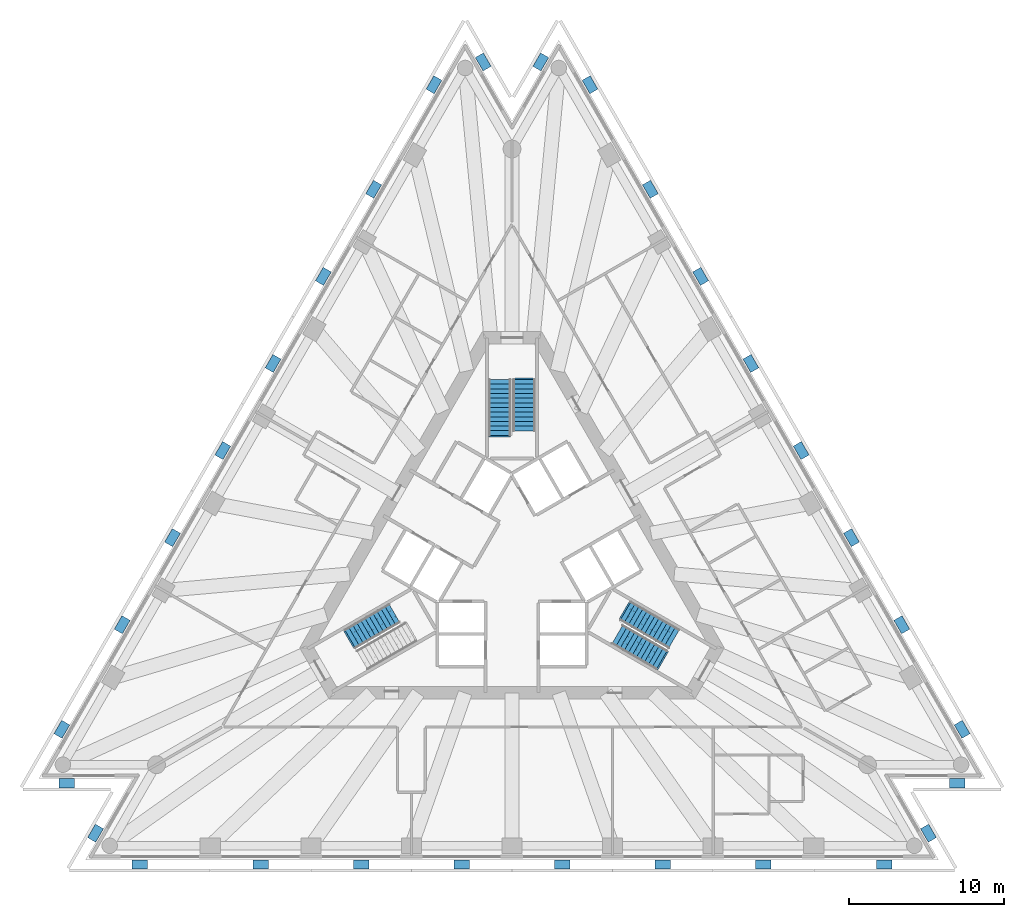
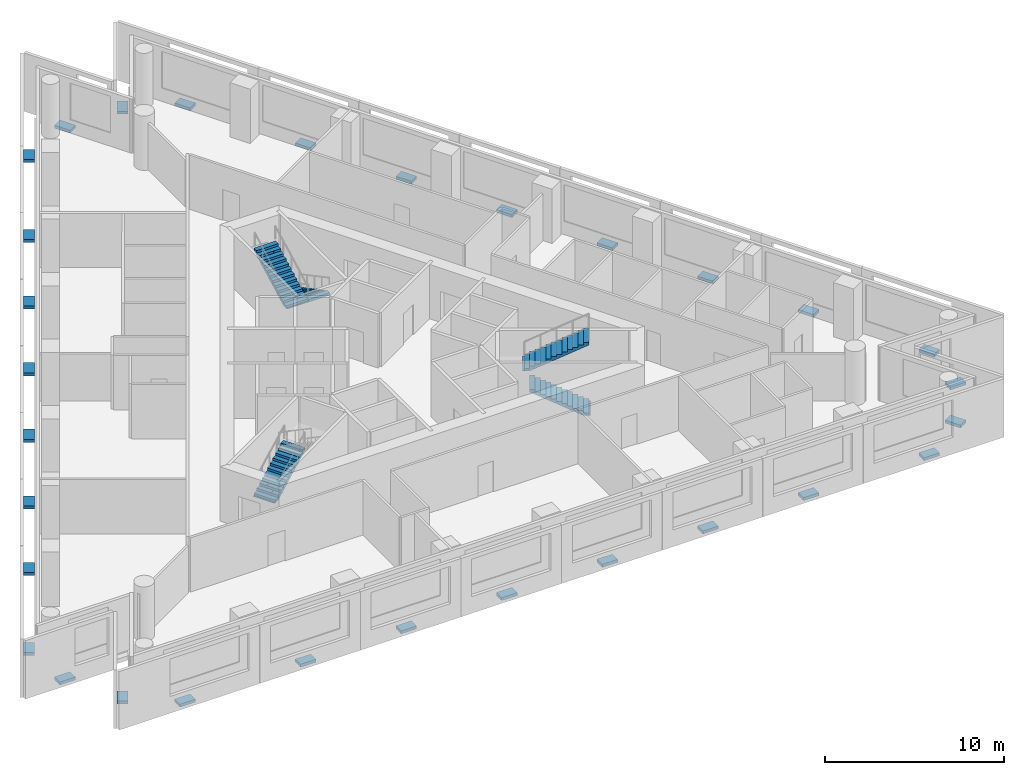
# One storey, part 7 of 9: 30 discrete accessories, 5 stair flights, 3 elements without a shape of their own.
"""IFC4 building model written with IfcOpenShell, lengths in metres."""

import ifcopenshell
import ifcopenshell.guid

model = None  # the IFC model being written
_history = None  # IfcOwnerHistory: only IFC2X3 demands one
_inside = {}  # id of a spatial element -> (the spatial element, [elements in it])
_under = {}  # id of a project, library or spatial element -> (it, [spatial elements below it])
_declared = {}  # id of a project -> (the project, [libraries it declares])
_typed = {}  # id of a type object -> (the type object, [elements of that type])
_made_of = {}  # id of a material, layer set ... -> (it, [elements and type objects made of it])


def new_model(schema):
    """Start an empty IFC model of exactly this schema.

    Asked for "IFC4X3", IfcOpenShell would pick the latest addendum, in which some entities
    have other attributes; the version numbers below select the first issue.
    IFC2X3 requires an IfcOwnerHistory on every rooted entity: one is made here for all.
    """
    global model, _history
    if schema == "IFC4X3":
        model = ifcopenshell.file(schema_version=(4, 3, 0, 0))
    else:
        model = ifcopenshell.file(schema=schema)
    _inside.clear()
    _under.clear()
    _declared.clear()
    _typed.clear()
    _made_of.clear()
    _history = None
    if model.schema == "IFC2X3":
        org = make("IfcOrganization", Name="unknown")
        user = make(
            "IfcPersonAndOrganization",
            ThePerson=make("IfcPerson", FamilyName="unknown"),
            TheOrganization=org,
        )
        app = make(
            "IfcApplication",
            ApplicationDeveloper=org,
            Version="unknown",
            ApplicationFullName="unknown",
            ApplicationIdentifier="unknown",
        )
        _history = make(
            "IfcOwnerHistory",
            OwningUser=user,
            OwningApplication=app,
            ChangeAction="ADDED",
            CreationDate=0,
        )
    return model


def make(cls, **values):
    """One entity of the class cls with the attributes given. An attribute that is None is left unset."""
    return model.create_entity(
        cls, **{name: value for name, value in values.items() if value is not None}
    )


def rooted(cls, **values):
    """An entity with a GlobalId (a new one), such as an element, a storey or a relation."""
    return make(cls, GlobalId=ifcopenshell.guid.new(), OwnerHistory=_history, **values)


def si_unit(unit_type, name, prefix=None):
    """IfcSIUnit, for example si_unit("LENGTHUNIT", "METRE", prefix="MILLI")."""
    return make("IfcSIUnit", UnitType=unit_type, Prefix=prefix, Name=name)


def assignment(units):
    """IfcUnitAssignment: the units of a project."""
    return None if units is None else make("IfcUnitAssignment", Units=units)


def point(xyz):
    """IfcCartesianPoint."""
    return None if xyz is None else make("IfcCartesianPoint", Coordinates=xyz)


def direction(xyz):
    """IfcDirection."""
    return None if xyz is None else make("IfcDirection", DirectionRatios=xyz)


def frame(location, z_axis=None, x_axis=None):
    """IfcAxis2Placement3D, a coordinate frame: its origin and axes. An axis left out is left unset."""
    return make(
        "IfcAxis2Placement3D",
        Location=point(location),
        Axis=direction(z_axis),
        RefDirection=direction(x_axis),
    )


def frame_2d(location, x_axis=None):
    """IfcAxis2Placement2D, a coordinate frame in the plane: its origin and x axis."""
    return make(
        "IfcAxis2Placement2D", Location=point(location), RefDirection=direction(x_axis)
    )


def origin():
    """The frame at (0, 0, 0) with its axes left unset."""
    return frame((0.0, 0.0, 0.0))


def origin_2d():
    """The frame at (0, 0) in the plane with its x axis left unset."""
    return frame_2d((0.0, 0.0))


def place(relative_to, where):
    """IfcLocalPlacement: puts the frame where relative to a parent placement (None: the world)."""
    return make(
        "IfcLocalPlacement", PlacementRelTo=relative_to, RelativePlacement=where
    )


def context(
    kind, dimensions, precision=None, world=None, true_north=None, identifier=None
):
    """IfcGeometricRepresentationContext, for example the 3D "Model" context."""
    return make(
        "IfcGeometricRepresentationContext",
        ContextIdentifier=identifier,
        ContextType=kind,
        CoordinateSpaceDimension=dimensions,
        Precision=precision,
        WorldCoordinateSystem=world,
        TrueNorth=true_north,
    )


def subcontext(parent, identifier, kind, view, scale=None):
    """IfcGeometricRepresentationSubContext, for example "Body" below "Model"."""
    return make(
        "IfcGeometricRepresentationSubContext",
        ContextIdentifier=identifier,
        ContextType=kind,
        ParentContext=parent,
        TargetScale=scale,
        TargetView=view,
    )


def project(units=None, contexts=None):
    """IfcProject with its units and contexts."""
    return rooted(
        "IfcProject",
        Name="project",
        RepresentationContexts=contexts,
        UnitsInContext=assignment(units),
    )


def spatial(cls, under=None, at=None, **own):
    """A site, building, storey or space (cls), placed at a placement, below another one or the project."""
    s = rooted(cls, ObjectPlacement=at, **own)
    if under is not None:
        _under.setdefault(under.id(), (under, []))[1].append(s)
    return s


def polyline(points):
    """IfcPolyline through the points."""
    return make("IfcPolyline", Points=[point(p) for p in points])


def profile(cls, at=None, kind="AREA", **sizes):
    """A parametric profile (cls). Its sizes go by their IFC names, for example OverallWidth=200.0."""
    return make(cls, ProfileType=kind, Position=at, **sizes)


def rectangle(**sizes):
    """IfcRectangleProfileDef."""
    return profile("IfcRectangleProfileDef", **sizes)


def outline(outer, holes=None, kind="AREA"):
    """IfcArbitraryClosedProfileDef: a profile drawn as a closed curve; with holes, ...WithVoids."""
    if holes is None:
        return make("IfcArbitraryClosedProfileDef", ProfileType=kind, OuterCurve=outer)
    return make(
        "IfcArbitraryProfileDefWithVoids",
        ProfileType=kind,
        OuterCurve=outer,
        InnerCurves=holes,
    )


def extrude(swept, where, along, depth):
    """IfcExtrudedAreaSolid: the profile swept, set in the frame where, extruded along a direction by depth."""
    return make(
        "IfcExtrudedAreaSolid",
        SweptArea=swept,
        Position=where,
        ExtrudedDirection=direction(along),
        Depth=depth,
    )


def shape(context_of_items, identifier, shape_type, items):
    """IfcShapeRepresentation: the items that make up one representation, for example the "Body"."""
    return make(
        "IfcShapeRepresentation",
        ContextOfItems=context_of_items,
        RepresentationIdentifier=identifier,
        RepresentationType=shape_type,
        Items=items,
    )


def material(Name=None, Category=None):
    """IfcMaterial."""
    return make("IfcMaterial", Name=Name, Category=Category)


def made_of(thing, what):
    """Note that an element or type object is made of a material, layer set ...; save() writes the relation."""
    if what is not None:
        _made_of.setdefault(what.id(), (what, []))[1].append(thing)
    return thing


def type_object(cls, material=None, **own):
    """A type object (cls), such as IfcWallType, which elements share."""
    return made_of(rooted(cls, **own), material)


def element(
    cls,
    number,
    at=None,
    inside=None,
    cuts=None,
    type_object=None,
    material=None,
    context=None,
    identifier="Body",
    shape_type=None,
    held_by="IfcProductDefinitionShape",
    body=None,
    shapes=None,
    **own,
):
    """One element of the class cls, such as IfcWall. Its Tag is "e" and its number.

    at: its placement. inside: the storey or other place that contains it. cuts: it is an
    opening in that element (IfcRelVoidsElement). A single representation is given by context,
    identifier, shape_type and body (its items); several are given by shapes. held_by: the class
    of the entity that holds the representations. save() writes the other relations.
    """
    e = rooted(cls, Tag="e%d" % number, ObjectPlacement=at, **own)
    if body is not None:
        shapes = [shape(context, identifier, shape_type, body)]
    if shapes is not None:
        e.Representation = make(held_by, Representations=shapes)
    if inside is not None:
        _inside.setdefault(inside.id(), (inside, []))[1].append(e)
    if cuts is not None:
        rooted(
            "IfcRelVoidsElement", RelatingBuildingElement=cuts, RelatedOpeningElement=e
        )
    if type_object is not None:
        _typed.setdefault(type_object.id(), (type_object, []))[1].append(e)
    return made_of(e, material)


def aggregate(whole, parts):
    """IfcRelAggregates: a whole, such as a stair, and the parts it consists of."""
    return rooted("IfcRelAggregates", RelatingObject=whole, RelatedObjects=parts)


def save(model, path):
    """Write the relations noted so far, then the file.

    IfcRelAggregates (storeys below a building ...), IfcRelContainedInSpatialStructure (elements
    in a storey), IfcRelDefinesByType, IfcRelAssociatesMaterial and IfcRelDeclares: one each for
    every whole, place, type object, material and project.
    """
    for whole, parts in _under.values():
        aggregate(whole, parts)
    for where, things in _inside.values():
        rooted(
            "IfcRelContainedInSpatialStructure",
            RelatedElements=things,
            RelatingStructure=where,
        )
    for kind, things in _typed.values():
        rooted("IfcRelDefinesByType", RelatedObjects=things, RelatingType=kind)
    for what, things in _made_of.values():
        rooted("IfcRelAssociatesMaterial", RelatedObjects=things, RelatingMaterial=what)
    for by, libraries in _declared.values():
        rooted("IfcRelDeclares", RelatingContext=by, RelatedDefinitions=libraries)
    model.write(path)


model = new_model("IFC4")

# Units and contexts
model_context = context("Model", 3, precision=1e-05, world=origin(), true_north=direction((0.0, 1.0)))
body_context = subcontext(model_context, "Body", "Model", "MODEL_VIEW")
ifc_project = project(units=[si_unit("LENGTHUNIT", "METRE"), si_unit("AREAUNIT", "SQUARE_METRE"), si_unit("VOLUMEUNIT", "CUBIC_METRE"), si_unit("PLANEANGLEUNIT", "RADIAN"), si_unit("MASSUNIT", "GRAM", prefix="KILO")], contexts=[model_context])

# Site, building, storey
site_placement = place(None, origin())
site = spatial("IfcSite", under=ifc_project, at=site_placement, CompositionType="ELEMENT")
building_placement = place(site_placement, origin())
building = spatial("IfcBuilding", under=site, at=building_placement, Name="Triada Interchange Tower", CompositionType="ELEMENT")
storey_placement = place(building_placement, frame((0.0, 0.0, 172.300048828125)))
storey = spatial("IfcBuildingStorey", under=building, at=storey_placement, Name="L40", CompositionType="ELEMENT", Elevation=172.300048828125)

# Stair, stair flights
ifc_material_1 = material(Name="Concrete C35/45", Category="concrete")
stair_type = type_object("IfcStairType", Name="HALF TURN STAIR 1400", PredefinedType="HALF_TURN_STAIR", material=ifc_material_1)
stair_1_placement = place(storey_placement, origin())
stair_1 = element("IfcStair", 1, at=stair_1_placement, inside=storey, type_object=stair_type, Name="Exit stair S38-1", PredefinedType="HALF_TURN_STAIR")
stair_flight_type = type_object("IfcStairFlightType", Name="STRAIGHT STAIR FLIGHT 1400", PredefinedType="STRAIGHT", material=ifc_material_1)
stair_flight_1_placement = place(storey_placement, frame((0.800048828125, 11.60009765625, 0.0), z_axis=(0.0, 0.0, 1.0), x_axis=(0.0, -1.0, 0.0)))
stair_flight_1 = element("IfcStairFlight", 2, at=stair_flight_1_placement, type_object=stair_flight_type, Name="S38-1 flight 1", NumberOfRisers=12, NumberOfTreads=11, PredefinedType="STRAIGHT", RiserHeight=0.16, TreadLength=0.3, context=body_context, shape_type="SweptSolid", body=[
    extrude(outline(polyline([(-0.10009765625, 0.0), (-0.10009765625, 0.02001953125), (0.0, 0.02001953125), (0.0, 0.159912109375), (0.300048828125, 0.159912109375), (0.300048828125, 0.320068359375), (0.60009765625, 0.320068359375), (0.60009765625, 0.47998046875), (0.89990234375, 0.47998046875), (0.89990234375, 0.639892578125), (1.199951171875, 0.639892578125), (1.199951171875, 0.800048828125), (1.5, 0.800048828125), (1.5, 0.9599609375), (1.800048828125, 0.9599609375), (1.800048828125, 1.1201171875), (2.10009765625, 1.1201171875), (2.10009765625, 1.280029296875), (2.39990234375, 1.280029296875), (2.39990234375, 1.43994140625), (2.699951171875, 1.43994140625), (2.699951171875, 1.60009765625), (3.0, 1.60009765625), (3.0, 1.760009765625), (3.300048828125, 1.760009765625), (3.303955078125, 1.760009765625), (3.303955078125, 1.919921875), (3.303955078125, 1.590087890625), (0.318603515625, 0.0), (-0.10009765625, 0.0)])), frame((0.0, 0.699951171875, 0.0), z_axis=(0.0, -1.0, 0.0), x_axis=(1.0, 0.0, 0.0)), (0.0, 0.0, 1.0), 0.46533203125),
    extrude(outline(polyline([(-0.10009765625, 0.0), (-0.10009765625, 0.02001953125), (0.0, 0.02001953125), (0.0, 0.159912109375), (0.300048828125, 0.159912109375), (0.300048828125, 0.320068359375), (0.60009765625, 0.320068359375), (0.60009765625, 0.47998046875), (0.89990234375, 0.47998046875), (0.89990234375, 0.639892578125), (1.199951171875, 0.639892578125), (1.199951171875, 0.800048828125), (1.5, 0.800048828125), (1.5, 0.9599609375), (1.800048828125, 0.9599609375), (1.800048828125, 1.1201171875), (2.10009765625, 1.1201171875), (2.10009765625, 1.280029296875), (2.39990234375, 1.280029296875), (2.39990234375, 1.43994140625), (2.699951171875, 1.43994140625), (2.699951171875, 1.60009765625), (3.0, 1.60009765625), (3.0, 1.760009765625), (3.300048828125, 1.760009765625), (3.303955078125, 1.760009765625), (3.303955078125, 1.919921875), (3.303955078125, 1.590087890625), (0.318603515625, 0.0), (-0.10009765625, 0.0)])), frame((0.0, 0.232666015625, 0.0), z_axis=(0.0, -1.0, 0.0), x_axis=(1.0, 0.0, 0.0)), (0.0, 0.0, 1.0), 0.46533203125),
    extrude(outline(polyline([(-0.10009765625, 0.0), (-0.10009765625, 0.02001953125), (0.0, 0.02001953125), (0.0, 0.159912109375), (0.300048828125, 0.159912109375), (0.300048828125, 0.320068359375), (0.60009765625, 0.320068359375), (0.60009765625, 0.47998046875), (0.89990234375, 0.47998046875), (0.89990234375, 0.639892578125), (1.199951171875, 0.639892578125), (1.199951171875, 0.800048828125), (1.5, 0.800048828125), (1.5, 0.9599609375), (1.800048828125, 0.9599609375), (1.800048828125, 1.1201171875), (2.10009765625, 1.1201171875), (2.10009765625, 1.280029296875), (2.39990234375, 1.280029296875), (2.39990234375, 1.43994140625), (2.699951171875, 1.43994140625), (2.699951171875, 1.60009765625), (3.0, 1.60009765625), (3.0, 1.760009765625), (3.300048828125, 1.760009765625), (3.303955078125, 1.760009765625), (3.303955078125, 1.919921875), (3.303955078125, 1.590087890625), (0.318603515625, 0.0), (-0.10009765625, 0.0)])), frame((0.0, -0.234619140625, 0.0), z_axis=(0.0, -1.0, 0.0), x_axis=(1.0, 0.0, 0.0)), (0.0, 0.0, 1.0), 0.46533203125),
])
stair_flight_2_placement = place(storey_placement, frame((-0.800048828125, 8.0, 1.919921875), z_axis=(0.0, 0.0, 1.0), x_axis=(0.0, 1.0, 0.0)))
stair_flight_2 = element("IfcStairFlight", 3, at=stair_flight_2_placement, type_object=stair_flight_type, Name="S38-1 flight 2", NumberOfRisers=13, NumberOfTreads=12, PredefinedType="STRAIGHT", RiserHeight=0.16, TreadLength=0.3, context=body_context, shape_type="SweptSolid", body=[
    extrude(outline(polyline([(-0.10009765625, 0.0), (-0.10009765625, 0.02001953125), (0.0, 0.02001953125), (0.0, 0.159912109375), (0.300048828125, 0.159912109375), (0.300048828125, 0.320068359375), (0.60009765625, 0.320068359375), (0.60009765625, 0.47998046875), (0.89990234375, 0.47998046875), (0.89990234375, 0.639892578125), (1.199951171875, 0.639892578125), (1.199951171875, 0.800048828125), (1.5, 0.800048828125), (1.5, 0.9599609375), (1.800048828125, 0.9599609375), (1.800048828125, 1.1201171875), (2.10009765625, 1.1201171875), (2.10009765625, 1.280029296875), (2.39990234375, 1.280029296875), (2.39990234375, 1.43994140625), (2.699951171875, 1.43994140625), (2.699951171875, 1.60009765625), (3.0, 1.60009765625), (3.0, 1.760009765625), (3.300048828125, 1.760009765625), (3.300048828125, 1.919921875), (3.60009765625, 1.919921875), (3.60400390625, 1.919921875), (3.60400390625, 2.080078125), (3.60400390625, 1.75), (0.318603515625, 0.0), (-0.10009765625, 0.0)])), frame((0.0, 0.699951171875, 0.0), z_axis=(0.0, -1.0, 0.0), x_axis=(1.0, 0.0, 0.0)), (0.0, 0.0, 1.0), 0.46533203125),
    extrude(outline(polyline([(-0.10009765625, 0.0), (-0.10009765625, 0.02001953125), (0.0, 0.02001953125), (0.0, 0.159912109375), (0.300048828125, 0.159912109375), (0.300048828125, 0.320068359375), (0.60009765625, 0.320068359375), (0.60009765625, 0.47998046875), (0.89990234375, 0.47998046875), (0.89990234375, 0.639892578125), (1.199951171875, 0.639892578125), (1.199951171875, 0.800048828125), (1.5, 0.800048828125), (1.5, 0.9599609375), (1.800048828125, 0.9599609375), (1.800048828125, 1.1201171875), (2.10009765625, 1.1201171875), (2.10009765625, 1.280029296875), (2.39990234375, 1.280029296875), (2.39990234375, 1.43994140625), (2.699951171875, 1.43994140625), (2.699951171875, 1.60009765625), (3.0, 1.60009765625), (3.0, 1.760009765625), (3.300048828125, 1.760009765625), (3.300048828125, 1.919921875), (3.60009765625, 1.919921875), (3.60400390625, 1.919921875), (3.60400390625, 2.080078125), (3.60400390625, 1.75), (0.318603515625, 0.0), (-0.10009765625, 0.0)])), frame((0.0, 0.232666015625, 0.0), z_axis=(0.0, -1.0, 0.0), x_axis=(1.0, 0.0, 0.0)), (0.0, 0.0, 1.0), 0.46533203125),
    extrude(outline(polyline([(-0.10009765625, 0.0), (-0.10009765625, 0.02001953125), (0.0, 0.02001953125), (0.0, 0.159912109375), (0.300048828125, 0.159912109375), (0.300048828125, 0.320068359375), (0.60009765625, 0.320068359375), (0.60009765625, 0.47998046875), (0.89990234375, 0.47998046875), (0.89990234375, 0.639892578125), (1.199951171875, 0.639892578125), (1.199951171875, 0.800048828125), (1.5, 0.800048828125), (1.5, 0.9599609375), (1.800048828125, 0.9599609375), (1.800048828125, 1.1201171875), (2.10009765625, 1.1201171875), (2.10009765625, 1.280029296875), (2.39990234375, 1.280029296875), (2.39990234375, 1.43994140625), (2.699951171875, 1.43994140625), (2.699951171875, 1.60009765625), (3.0, 1.60009765625), (3.0, 1.760009765625), (3.300048828125, 1.760009765625), (3.300048828125, 1.919921875), (3.60009765625, 1.919921875), (3.60400390625, 1.919921875), (3.60400390625, 2.080078125), (3.60400390625, 1.75), (0.318603515625, 0.0), (-0.10009765625, 0.0)])), frame((0.0, -0.234619140625, 0.0), z_axis=(0.0, -1.0, 0.0), x_axis=(1.0, 0.0, 0.0)), (0.0, 0.0, 1.0), 0.46533203125),
])
aggregate(stair_1, [stair_flight_1, stair_flight_2])

# Stair, stair flight
stair_2_placement = place(storey_placement, origin())
stair_2 = element("IfcStair", 4, at=stair_2_placement, inside=storey, type_object=stair_type, Name="Exit stair S38-2", PredefinedType="HALF_TURN_STAIR")
stair_flight_3_placement = place(storey_placement, frame((-10.446044921875, -5.10693359375, 0.0), z_axis=(0.0, 0.0, 1.0), x_axis=(0.866025403784, 0.5, 0.0)))
stair_flight_3 = element("IfcStairFlight", 5, at=stair_flight_3_placement, type_object=stair_flight_type, Name="S38-2 flight 1", NumberOfRisers=12, NumberOfTreads=11, PredefinedType="STRAIGHT", RiserHeight=0.16, TreadLength=0.3, context=body_context, shape_type="SweptSolid", body=[
    extrude(outline(polyline([(-0.10009765625, 0.0), (-0.10009765625, 0.02001953125), (0.0, 0.02001953125), (0.0, 0.159912109375), (0.300048828125, 0.159912109375), (0.300048828125, 0.320068359375), (0.60009765625, 0.320068359375), (0.60009765625, 0.47998046875), (0.89990234375, 0.47998046875), (0.89990234375, 0.639892578125), (1.199951171875, 0.639892578125), (1.199951171875, 0.800048828125), (1.5, 0.800048828125), (1.5, 0.9599609375), (1.800048828125, 0.9599609375), (1.800048828125, 1.1201171875), (2.10009765625, 1.1201171875), (2.10009765625, 1.280029296875), (2.39990234375, 1.280029296875), (2.39990234375, 1.43994140625), (2.699951171875, 1.43994140625), (2.699951171875, 1.60009765625), (3.0, 1.60009765625), (3.0, 1.760009765625), (3.300048828125, 1.760009765625), (3.303955078125, 1.760009765625), (3.303955078125, 1.919921875), (3.303955078125, 1.590087890625), (0.318603515625, 0.0), (-0.10009765625, 0.0)])), frame((0.0, 0.699951171875, 0.0), z_axis=(0.0, -1.0, 0.0), x_axis=(1.0, 0.0, 0.0)), (0.0, 0.0, 1.0), 0.46533203125),
    extrude(outline(polyline([(-0.10009765625, 0.0), (-0.10009765625, 0.02001953125), (0.0, 0.02001953125), (0.0, 0.159912109375), (0.300048828125, 0.159912109375), (0.300048828125, 0.320068359375), (0.60009765625, 0.320068359375), (0.60009765625, 0.47998046875), (0.89990234375, 0.47998046875), (0.89990234375, 0.639892578125), (1.199951171875, 0.639892578125), (1.199951171875, 0.800048828125), (1.5, 0.800048828125), (1.5, 0.9599609375), (1.800048828125, 0.9599609375), (1.800048828125, 1.1201171875), (2.10009765625, 1.1201171875), (2.10009765625, 1.280029296875), (2.39990234375, 1.280029296875), (2.39990234375, 1.43994140625), (2.699951171875, 1.43994140625), (2.699951171875, 1.60009765625), (3.0, 1.60009765625), (3.0, 1.760009765625), (3.300048828125, 1.760009765625), (3.303955078125, 1.760009765625), (3.303955078125, 1.919921875), (3.303955078125, 1.590087890625), (0.318603515625, 0.0), (-0.10009765625, 0.0)])), frame((0.0, 0.232666015625, 0.0), z_axis=(0.0, -1.0, 0.0), x_axis=(1.0, 0.0, 0.0)), (0.0, 0.0, 1.0), 0.46533203125),
    extrude(outline(polyline([(-0.10009765625, 0.0), (-0.10009765625, 0.02001953125), (0.0, 0.02001953125), (0.0, 0.159912109375), (0.300048828125, 0.159912109375), (0.300048828125, 0.320068359375), (0.60009765625, 0.320068359375), (0.60009765625, 0.47998046875), (0.89990234375, 0.47998046875), (0.89990234375, 0.639892578125), (1.199951171875, 0.639892578125), (1.199951171875, 0.800048828125), (1.5, 0.800048828125), (1.5, 0.9599609375), (1.800048828125, 0.9599609375), (1.800048828125, 1.1201171875), (2.10009765625, 1.1201171875), (2.10009765625, 1.280029296875), (2.39990234375, 1.280029296875), (2.39990234375, 1.43994140625), (2.699951171875, 1.43994140625), (2.699951171875, 1.60009765625), (3.0, 1.60009765625), (3.0, 1.760009765625), (3.300048828125, 1.760009765625), (3.303955078125, 1.760009765625), (3.303955078125, 1.919921875), (3.303955078125, 1.590087890625), (0.318603515625, 0.0), (-0.10009765625, 0.0)])), frame((0.0, -0.234619140625, 0.0), z_axis=(0.0, -1.0, 0.0), x_axis=(1.0, 0.0, 0.0)), (0.0, 0.0, 1.0), 0.46533203125),
])
aggregate(stair_2, [stair_flight_3])

# Stair, stair flights
stair_3_placement = place(storey_placement, origin())
stair_3 = element("IfcStair", 6, at=stair_3_placement, inside=storey, type_object=stair_type, Name="Exit stair S38-3", PredefinedType="HALF_TURN_STAIR")
stair_flight_4_placement = place(storey_placement, frame((9.64599609375, -6.492919921875, 0.0), z_axis=(0.0, 0.0, 1.0), x_axis=(-0.866025403784, 0.5, 0.0)))
stair_flight_4 = element("IfcStairFlight", 7, at=stair_flight_4_placement, type_object=stair_flight_type, Name="S38-3 flight 1", NumberOfRisers=12, NumberOfTreads=11, PredefinedType="STRAIGHT", RiserHeight=0.16, TreadLength=0.3, context=body_context, shape_type="SweptSolid", body=[
    extrude(outline(polyline([(-0.10009765625, 0.0), (-0.10009765625, 0.02001953125), (0.0, 0.02001953125), (0.0, 0.159912109375), (0.300048828125, 0.159912109375), (0.300048828125, 0.320068359375), (0.60009765625, 0.320068359375), (0.60009765625, 0.47998046875), (0.89990234375, 0.47998046875), (0.89990234375, 0.639892578125), (1.199951171875, 0.639892578125), (1.199951171875, 0.800048828125), (1.5, 0.800048828125), (1.5, 0.9599609375), (1.800048828125, 0.9599609375), (1.800048828125, 1.1201171875), (2.10009765625, 1.1201171875), (2.10009765625, 1.280029296875), (2.39990234375, 1.280029296875), (2.39990234375, 1.43994140625), (2.699951171875, 1.43994140625), (2.699951171875, 1.60009765625), (3.0, 1.60009765625), (3.0, 1.760009765625), (3.300048828125, 1.760009765625), (3.303955078125, 1.760009765625), (3.303955078125, 1.919921875), (3.303955078125, 1.590087890625), (0.318603515625, 0.0), (-0.10009765625, 0.0)])), frame((0.0, 0.699951171875, 0.0), z_axis=(0.0, -1.0, 0.0), x_axis=(1.0, 0.0, 0.0)), (0.0, 0.0, 1.0), 0.46533203125),
    extrude(outline(polyline([(-0.10009765625, 0.0), (-0.10009765625, 0.02001953125), (0.0, 0.02001953125), (0.0, 0.159912109375), (0.300048828125, 0.159912109375), (0.300048828125, 0.320068359375), (0.60009765625, 0.320068359375), (0.60009765625, 0.47998046875), (0.89990234375, 0.47998046875), (0.89990234375, 0.639892578125), (1.199951171875, 0.639892578125), (1.199951171875, 0.800048828125), (1.5, 0.800048828125), (1.5, 0.9599609375), (1.800048828125, 0.9599609375), (1.800048828125, 1.1201171875), (2.10009765625, 1.1201171875), (2.10009765625, 1.280029296875), (2.39990234375, 1.280029296875), (2.39990234375, 1.43994140625), (2.699951171875, 1.43994140625), (2.699951171875, 1.60009765625), (3.0, 1.60009765625), (3.0, 1.760009765625), (3.300048828125, 1.760009765625), (3.303955078125, 1.760009765625), (3.303955078125, 1.919921875), (3.303955078125, 1.590087890625), (0.318603515625, 0.0), (-0.10009765625, 0.0)])), frame((0.0, 0.232666015625, 0.0), z_axis=(0.0, -1.0, 0.0), x_axis=(1.0, 0.0, 0.0)), (0.0, 0.0, 1.0), 0.46533203125),
    extrude(outline(polyline([(-0.10009765625, 0.0), (-0.10009765625, 0.02001953125), (0.0, 0.02001953125), (0.0, 0.159912109375), (0.300048828125, 0.159912109375), (0.300048828125, 0.320068359375), (0.60009765625, 0.320068359375), (0.60009765625, 0.47998046875), (0.89990234375, 0.47998046875), (0.89990234375, 0.639892578125), (1.199951171875, 0.639892578125), (1.199951171875, 0.800048828125), (1.5, 0.800048828125), (1.5, 0.9599609375), (1.800048828125, 0.9599609375), (1.800048828125, 1.1201171875), (2.10009765625, 1.1201171875), (2.10009765625, 1.280029296875), (2.39990234375, 1.280029296875), (2.39990234375, 1.43994140625), (2.699951171875, 1.43994140625), (2.699951171875, 1.60009765625), (3.0, 1.60009765625), (3.0, 1.760009765625), (3.300048828125, 1.760009765625), (3.303955078125, 1.760009765625), (3.303955078125, 1.919921875), (3.303955078125, 1.590087890625), (0.318603515625, 0.0), (-0.10009765625, 0.0)])), frame((0.0, -0.234619140625, 0.0), z_axis=(0.0, -1.0, 0.0), x_axis=(1.0, 0.0, 0.0)), (0.0, 0.0, 1.0), 0.46533203125),
])
stair_flight_5_placement = place(storey_placement, frame((7.327880859375, -3.306884765625, 1.919921875), z_axis=(0.0, 0.0, 1.0), x_axis=(0.866025403784, -0.5, 0.0)))
stair_flight_5 = element("IfcStairFlight", 8, at=stair_flight_5_placement, type_object=stair_flight_type, Name="S38-3 flight 2", NumberOfRisers=13, NumberOfTreads=12, PredefinedType="STRAIGHT", RiserHeight=0.16, TreadLength=0.3, context=body_context, shape_type="SweptSolid", body=[
    extrude(outline(polyline([(-0.10009765625, 0.0), (-0.10009765625, 0.02001953125), (0.0, 0.02001953125), (0.0, 0.159912109375), (0.300048828125, 0.159912109375), (0.300048828125, 0.320068359375), (0.60009765625, 0.320068359375), (0.60009765625, 0.47998046875), (0.89990234375, 0.47998046875), (0.89990234375, 0.639892578125), (1.199951171875, 0.639892578125), (1.199951171875, 0.800048828125), (1.5, 0.800048828125), (1.5, 0.9599609375), (1.800048828125, 0.9599609375), (1.800048828125, 1.1201171875), (2.10009765625, 1.1201171875), (2.10009765625, 1.280029296875), (2.39990234375, 1.280029296875), (2.39990234375, 1.43994140625), (2.699951171875, 1.43994140625), (2.699951171875, 1.60009765625), (3.0, 1.60009765625), (3.0, 1.760009765625), (3.300048828125, 1.760009765625), (3.300048828125, 1.919921875), (3.60009765625, 1.919921875), (3.60400390625, 1.919921875), (3.60400390625, 2.080078125), (3.60400390625, 1.75), (0.318603515625, 0.0), (-0.10009765625, 0.0)])), frame((0.0, 0.699951171875, 0.0), z_axis=(0.0, -1.0, 0.0), x_axis=(1.0, 0.0, 0.0)), (0.0, 0.0, 1.0), 0.46533203125),
    extrude(outline(polyline([(-0.10009765625, 0.0), (-0.10009765625, 0.02001953125), (0.0, 0.02001953125), (0.0, 0.159912109375), (0.300048828125, 0.159912109375), (0.300048828125, 0.320068359375), (0.60009765625, 0.320068359375), (0.60009765625, 0.47998046875), (0.89990234375, 0.47998046875), (0.89990234375, 0.639892578125), (1.199951171875, 0.639892578125), (1.199951171875, 0.800048828125), (1.5, 0.800048828125), (1.5, 0.9599609375), (1.800048828125, 0.9599609375), (1.800048828125, 1.1201171875), (2.10009765625, 1.1201171875), (2.10009765625, 1.280029296875), (2.39990234375, 1.280029296875), (2.39990234375, 1.43994140625), (2.699951171875, 1.43994140625), (2.699951171875, 1.60009765625), (3.0, 1.60009765625), (3.0, 1.760009765625), (3.300048828125, 1.760009765625), (3.300048828125, 1.919921875), (3.60009765625, 1.919921875), (3.60400390625, 1.919921875), (3.60400390625, 2.080078125), (3.60400390625, 1.75), (0.318603515625, 0.0), (-0.10009765625, 0.0)])), frame((0.0, 0.232666015625, 0.0), z_axis=(0.0, -1.0, 0.0), x_axis=(1.0, 0.0, 0.0)), (0.0, 0.0, 1.0), 0.46533203125),
    extrude(outline(polyline([(-0.10009765625, 0.0), (-0.10009765625, 0.02001953125), (0.0, 0.02001953125), (0.0, 0.159912109375), (0.300048828125, 0.159912109375), (0.300048828125, 0.320068359375), (0.60009765625, 0.320068359375), (0.60009765625, 0.47998046875), (0.89990234375, 0.47998046875), (0.89990234375, 0.639892578125), (1.199951171875, 0.639892578125), (1.199951171875, 0.800048828125), (1.5, 0.800048828125), (1.5, 0.9599609375), (1.800048828125, 0.9599609375), (1.800048828125, 1.1201171875), (2.10009765625, 1.1201171875), (2.10009765625, 1.280029296875), (2.39990234375, 1.280029296875), (2.39990234375, 1.43994140625), (2.699951171875, 1.43994140625), (2.699951171875, 1.60009765625), (3.0, 1.60009765625), (3.0, 1.760009765625), (3.300048828125, 1.760009765625), (3.300048828125, 1.919921875), (3.60009765625, 1.919921875), (3.60400390625, 1.919921875), (3.60400390625, 2.080078125), (3.60400390625, 1.75), (0.318603515625, 0.0), (-0.10009765625, 0.0)])), frame((0.0, -0.234619140625, 0.0), z_axis=(0.0, -1.0, 0.0), x_axis=(1.0, 0.0, 0.0)), (0.0, 0.0, 1.0), 0.46533203125),
])
aggregate(stair_3, [stair_flight_4, stair_flight_5])

# Discrete accessories
ifc_material_2 = material(Name="Steel S355", Category="steel")
discrete_accessory_type = type_object("IfcDiscreteAccessoryType", Name="Steel bracket outer skin", PredefinedType="BRACKET", material=ifc_material_2)
for number, where, z_axis, x_axis, name in (
    (9, (-5.027099609375, 30.60009765625, -0.27001953125), (0.0, 0.0, 1.0), (-0.866022619971, 0.500004821676, 0.0), "Bracket L40 01"),
    (10, (-8.91796875, 23.861083984375, -0.27001953125), (0.0, 0.0, 1.0), (-0.866022619971, 0.500004821676, 0.0), "Bracket L40 02"),
    (11, (-12.158935546875, 18.248046875, -0.27001953125), (0.0, 0.0, 1.0), (-0.866022619971, 0.500004821676, 0.0), "Bracket L40 03"),
    (12, (-15.39990234375, 12.634033203125, -0.27001953125), (0.0, 0.0, 1.0), (-0.866022619971, 0.500004821676, 0.0), "Bracket L40 04"),
    (13, (-18.64111328125, 7.02001953125, -0.27001953125), (0.0, 0.0, 1.0), (-0.866022619971, 0.500004821676, 0.0), "Bracket L40 05"),
    (14, (-21.882080078125, 1.406005859375, -0.27001953125), (0.0, 0.0, 1.0), (-0.866022619971, 0.500004821676, 0.0), "Bracket L40 06"),
    (15, (-25.1240234375, -4.20703125, -0.27001953125), (0.0, 0.0, 1.0), (-0.866022619971, 0.500004821676, 0.0), "Bracket L40 07"),
    (16, (-29.013916015625, -10.946044921875, -0.27001953125), (0.0, 0.0, 1.0), (-0.866022619971, 0.500004821676, 0.0), "Bracket L40 08"),
    (17, (-28.699951171875, -14.427978515625, -0.27001953125), (0.0, 0.0, 1.0), (0.0, -1.0, 0.0), "Bracket L40 09"),
    (18, (-26.844970703125, -17.64111328125, -0.27001953125), (0.0, 0.0, 1.0), (-0.86604208865, 0.499971099852, 0.0), "Bracket L40 10"),
    (19, (-23.987060546875, -19.654052734375, -0.27001953125), (0.0, 0.0, 1.0), (0.0, -1.0, 0.0), "Bracket L40 11"),
    (20, (-16.2060546875, -19.654052734375, -0.27001953125), (0.0, 0.0, 1.0), (0.0, -1.0, 0.0), "Bracket L40 12"),
    (21, (-9.722900390625, -19.654052734375, -0.27001953125), (0.0, 0.0, 1.0), (0.0, -1.0, 0.0), "Bracket L40 13"),
    (22, (-3.240966796875, -19.654052734375, -0.27001953125), (0.0, 0.0, 1.0), (0.0, -1.0, 0.0), "Bracket L40 14"),
    (23, (3.240966796875, -19.654052734375, -0.27001953125), (0.0, 0.0, 1.0), (0.0, -1.0, 0.0), "Bracket L40 15"),
    (24, (9.722900390625, -19.654052734375, -0.27001953125), (0.0, 0.0, 1.0), (0.0, -1.0, 0.0), "Bracket L40 16"),
    (25, (16.2060546875, -19.654052734375, -0.27001953125), (0.0, 0.0, 1.0), (0.0, -1.0, 0.0), "Bracket L40 17"),
    (26, (23.987060546875, -19.654052734375, -0.27001953125), (0.0, 0.0, 1.0), (0.0, -1.0, 0.0), "Bracket L40 18"),
    (27, (26.844970703125, -17.64111328125, -0.27001953125), (0.0, 0.0, 1.0), (0.86604208865, 0.499971099852, 0.0), "Bracket L40 19"),
    (28, (28.699951171875, -14.427978515625, -0.27001953125), (0.0, 0.0, 1.0), (0.0, -1.0, 0.0), "Bracket L40 20"),
    (29, (29.013916015625, -10.946044921875, -0.27001953125), (0.0, 0.0, 1.0), (0.866022619971, 0.500004821676, 0.0), "Bracket L40 21"),
    (30, (25.1240234375, -4.20703125, -0.27001953125), (0.0, 0.0, 1.0), (0.866022619971, 0.500004821676, 0.0), "Bracket L40 22"),
    (31, (21.882080078125, 1.406005859375, -0.27001953125), (0.0, 0.0, 1.0), (0.866022619971, 0.500004821676, 0.0), "Bracket L40 23"),
    (32, (18.64111328125, 7.02001953125, -0.27001953125), (0.0, 0.0, 1.0), (0.866022619971, 0.500004821676, 0.0), "Bracket L40 24"),
    (33, (15.39990234375, 12.634033203125, -0.27001953125), (0.0, 0.0, 1.0), (0.866022619971, 0.500004821676, 0.0), "Bracket L40 25"),
    (34, (12.158935546875, 18.248046875, -0.27001953125), (0.0, 0.0, 1.0), (0.866022619971, 0.500004821676, 0.0), "Bracket L40 26"),
    (35, (8.91796875, 23.861083984375, -0.27001953125), (0.0, 0.0, 1.0), (0.866022619971, 0.500004821676, 0.0), "Bracket L40 27"),
    (36, (5.027099609375, 30.60009765625, -0.27001953125), (0.0, 0.0, 1.0), (0.866022619971, 0.500004821676, 0.0), "Bracket L40 28"),
    (37, (1.85498046875, 32.069091796875, -0.27001953125), (0.0, 0.0, 1.0), (-0.866000653955, 0.500042865512, 0.0), "Bracket L40 29"),
    (38, (-1.85498046875, 32.069091796875, -0.27001953125), (0.0, 0.0, 1.0), (0.866000653955, 0.500042865512, 0.0), "Bracket L40 30"),
):
    element("IfcDiscreteAccessory", number, at=place(storey_placement, frame(where, z_axis=z_axis, x_axis=x_axis)), inside=storey, type_object=discrete_accessory_type, Name=name, PredefinedType="BRACKET", context=body_context, shape_type="SweptSolid", body=[
        extrude(rectangle(XDim=0.60009765625, YDim=1.0, at=origin_2d()), origin(), (0.0, 0.0, 1.0), 0.199951171875),
    ])

save(model, "model.ifc")
